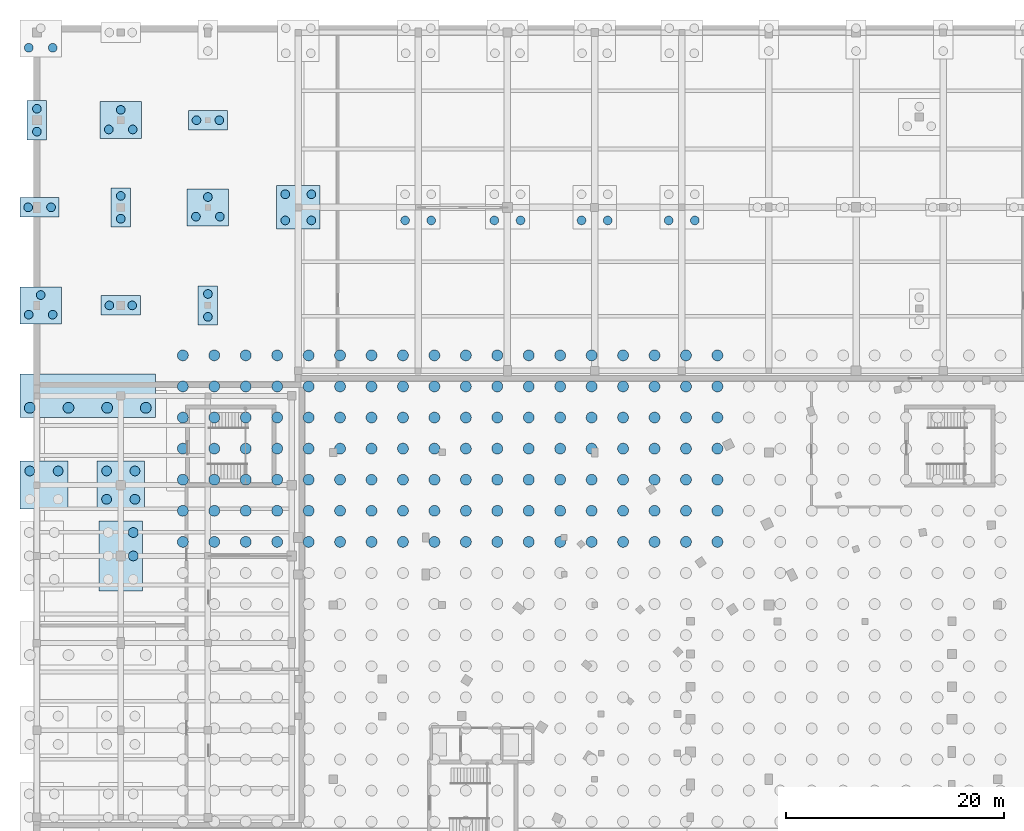
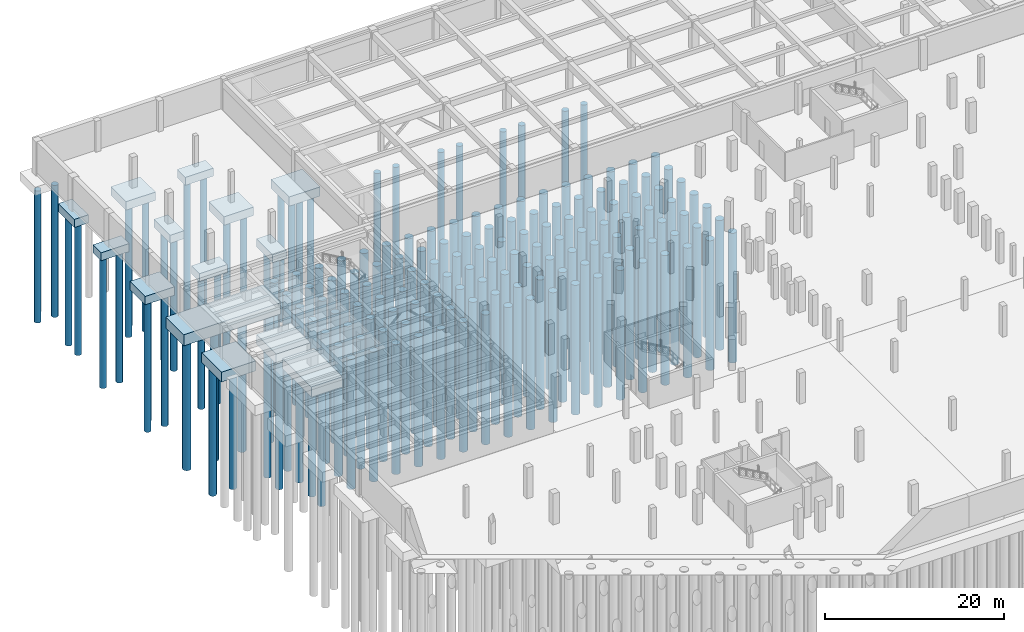
# One storey, part 5 of 36: 173 piles, 14 footings.
"""IFC4 building model written with IfcOpenShell, lengths in metres."""

from ifc_helpers import new_model, si_unit, direction, frame, origin, origin_2d, place, context, subcontext, project, spatial, rectangle, circle, extrude, material, material_profile, profile_set, type_object, element, save


model = new_model("IFC4")

# Units and contexts
model_context = context("Model", 3, precision=1e-05, world=origin(), true_north=direction((0.0, 1.0)))
body_context = subcontext(model_context, "Body", "Model", "MODEL_VIEW")
ifc_project = project(units=[si_unit("LENGTHUNIT", "METRE"), si_unit("AREAUNIT", "SQUARE_METRE"), si_unit("VOLUMEUNIT", "CUBIC_METRE"), si_unit("PLANEANGLEUNIT", "RADIAN"), si_unit("MASSUNIT", "GRAM", prefix="KILO"), si_unit("THERMODYNAMICTEMPERATUREUNIT", "KELVIN"), si_unit("POWERUNIT", "WATT")], contexts=[model_context])

# Site, building, storey
site_placement = place(None, origin())
site = spatial("IfcSite", under=ifc_project, at=site_placement, CompositionType="ELEMENT")
building_placement = place(site_placement, origin())
building = spatial("IfcBuilding", under=site, at=building_placement, Name="Solvatero Civic Police Headquarters", CompositionType="ELEMENT")
storey_placement = place(building_placement, frame((0.0, 0.0, -8.39990234375)))
storey = spatial("IfcBuildingStorey", under=building, at=storey_placement, Name="B02", CompositionType="ELEMENT", Elevation=-8.39990234375)

# Footings
ifc_material_1 = material(Name="Concrete C35/45", Category="concrete")
footing_type_1 = type_object("IfcFootingType", Name="PC-2P-180x360x110", PredefinedType="PILE_CAP", material=ifc_material_1)
for number, where, z_axis, x_axis, name in (
    (1, (4.800048828125, 108.5, -1.5400390625), (0.0, 0.0, 1.0), (1.0, 0.0, 0.0), "Pile Cap FTG-R2-V7NW-X1Y3"),
    (2, (12.5, 100.5, -1.5400390625), (0.0, 0.0, 1.0), (1.0, 0.0, 0.0), "Pile Cap FTG-R2-V7NW-X2Y2"),
    (3, (20.5, 91.5, -1.5400390625), (0.0, 0.0, 1.0), (1.0, 0.0, 0.0), "Pile Cap FTG-R2-V7NW-X3Y1"),
):
    element("IfcFooting", number, at=place(storey_placement, frame(where, z_axis=z_axis, x_axis=x_axis)), inside=storey, type_object=footing_type_1, Name=name, PredefinedType="PILE_CAP", context=body_context, shape_type="SweptSolid", body=[
        extrude(rectangle(XDim=1.800048828125, YDim=3.60009765625, at=origin_2d()), origin(), (0.0, 0.0, 1.0), 1.10009765625),
    ])
footing_type_2 = type_object("IfcFootingType", Name="PC-2P-360x180x110", PredefinedType="PILE_CAP", material=ifc_material_1)
for number, where, z_axis, x_axis, name in (
    (4, (5.050048828125, 100.5, -1.5400390625), (0.0, 0.0, 1.0), (1.0, 0.0, 0.0), "Pile Cap FTG-R2-V7NW-X1Y2"),
    (5, (12.5, 91.5, -1.5400390625), (0.0, 0.0, 1.0), (1.0, 0.0, 0.0), "Pile Cap FTG-R2-V7NW-X2Y1"),
    (6, (20.5, 108.5, -1.5400390625), (0.0, 0.0, 1.0), (1.0, 0.0, 0.0), "Pile Cap FTG-R2-V7NW-X3Y3"),
):
    element("IfcFooting", number, at=place(storey_placement, frame(where, z_axis=z_axis, x_axis=x_axis)), inside=storey, type_object=footing_type_2, Name=name, PredefinedType="PILE_CAP", context=body_context, shape_type="SweptSolid", body=[
        extrude(rectangle(XDim=3.60009765625, YDim=1.800048828125, at=origin_2d()), origin(), (0.0, 0.0, 1.0), 1.10009765625),
    ])
footing_type_3 = type_object("IfcFootingType", Name="PC-3P-380x340x115", PredefinedType="PILE_CAP", material=ifc_material_1)
for number, where, z_axis, x_axis, name in (
    (7, (5.14990234375, 91.5, -1.590087890625), (0.0, 0.0, 1.0), (1.0, 0.0, 0.0), "Pile Cap FTG-R2-V7NW-X1Y1"),
    (8, (12.5, 108.5, -1.590087890625), (0.0, 0.0, 1.0), (1.0, 0.0, 0.0), "Pile Cap FTG-R2-V7NW-X2Y3"),
    (9, (20.5, 100.5, -1.590087890625), (0.0, 0.0, 1.0), (1.0, 0.0, 0.0), "Pile Cap FTG-R2-V7NW-X3Y2"),
):
    element("IfcFooting", number, at=place(storey_placement, frame(where, z_axis=z_axis, x_axis=x_axis)), inside=storey, type_object=footing_type_3, Name=name, PredefinedType="PILE_CAP", context=body_context, shape_type="SweptSolid", body=[
        extrude(rectangle(XDim=3.800048828125, YDim=3.39990234375, at=origin_2d()), origin(), (0.0, 0.0, 1.0), 1.14990234375),
    ])
footing_type_4 = type_object("IfcFootingType", Name="PC-4P-400x400x125", PredefinedType="PILE_CAP", material=ifc_material_1)
footing_1_placement = place(storey_placement, frame((28.800048828125, 100.5, -1.690185546875), z_axis=(0.0, 0.0, 1.0), x_axis=(1.0, 0.0, 0.0)))
element("IfcFooting", 10, at=footing_1_placement, inside=storey, type_object=footing_type_4, Name="Pile Cap FTG-R2-V7-X1Y2", PredefinedType="PILE_CAP", context=body_context, shape_type="SweptSolid", body=[
    extrude(rectangle(XDim=4.0, YDim=4.0, at=origin_2d()), origin(), (0.0, 0.0, 1.0), 1.25),
])
footing_type_5 = type_object("IfcFootingType", Name="PC-4P-440x440x135", PredefinedType="PILE_CAP", material=ifc_material_1)
for number, where, z_axis, x_axis, name in (
    (11, (5.449951171875, 75.0, -1.7900390625), (0.0, 0.0, 1.0), (1.0, 0.0, 0.0), "Pile Cap FTG-R2-V6-X1Y5"),
    (12, (12.5, 75.0, -1.7900390625), (0.0, 0.0, 1.0), (1.0, 0.0, 0.0), "Pile Cap FTG-R2-V6-X2Y5"),
):
    element("IfcFooting", number, at=place(storey_placement, frame(where, z_axis=z_axis, x_axis=x_axis)), inside=storey, type_object=footing_type_5, Name=name, PredefinedType="PILE_CAP", context=body_context, shape_type="SweptSolid", body=[
        extrude(rectangle(XDim=4.39990234375, YDim=4.39990234375, at=origin_2d()), origin(), (0.0, 0.0, 1.0), 1.35009765625),
    ])
footing_type_6 = type_object("IfcFootingType", Name="PC-6P-400x640x140", PredefinedType="PILE_CAP", material=ifc_material_1)
footing_2_placement = place(storey_placement, frame((12.5, 68.5, -1.840087890625), z_axis=(0.0, 0.0, 1.0), x_axis=(1.0, 0.0, 0.0)))
element("IfcFooting", 13, at=footing_2_placement, inside=storey, type_object=footing_type_6, Name="Pile Cap FTG-R2-V6-X2Y4", PredefinedType="PILE_CAP", context=body_context, shape_type="SweptSolid", body=[
    extrude(rectangle(XDim=4.0, YDim=6.39990234375, at=origin_2d()), origin(), (0.0, 0.0, 1.0), 1.39990234375),
])
footing_type_7 = type_object("IfcFootingType", Name="PC-COMB-05", PredefinedType="PILE_CAP", material=ifc_material_1)
footing_3_placement = place(storey_placement, frame((9.47509765625, 83.199951171875, -1.97021484375), z_axis=(0.0, 0.0, 1.0), x_axis=(1.0, 0.0, 0.0)))
element("IfcFooting", 14, at=footing_3_placement, inside=storey, type_object=footing_type_7, Name="Combined Pile Cap FTG-R2-CMB-V6-X1Y6", PredefinedType="PILE_CAP", context=body_context, shape_type="SweptSolid", body=[
    extrude(rectangle(XDim=12.449951171875, YDim=4.0, at=origin_2d()), origin(), (0.0, 0.0, 1.0), 1.530029296875),
])

# Piles
ifc_material_2 = material(Name="Concrete C32/40", Category="concrete")
ifc_material_profile_1 = material_profile(ifc_material_2, circle(Radius=0.5, at=origin_2d()), Name="CFA PILE D1000")
ifc_profile_set_1 = profile_set([ifc_material_profile_1], Name="Concrete C32/40")
pile_type_1 = type_object("IfcPileType", Name="PL-CFA-1000", PredefinedType="BORED", material=ifc_profile_set_1)
for number, where, z_axis, x_axis, name in (
    (15, (18.199951171875, 69.789306640625, -1.7900390625), (0.0, 0.0, -1.0), (1.0, 0.0, 0.0), "Bored Pile ARC-S00-IN-24"),
    (16, (18.199951171875, 72.643310546875, -1.7900390625), (0.0, 0.0, -1.0), (1.0, 0.0, 0.0), "Bored Pile ARC-S00-IN-25"),
    (17, (18.199951171875, 75.4970703125, -1.7900390625), (0.0, 0.0, -1.0), (1.0, 0.0, 0.0), "Bored Pile ARC-S00-IN-26"),
    (18, (18.199951171875, 78.350830078125, -1.7900390625), (0.0, 0.0, -1.0), (1.0, 0.0, 0.0), "Bored Pile ARC-S00-IN-27"),
    (19, (18.199951171875, 81.20458984375, -1.7900390625), (0.0, 0.0, -1.0), (1.0, 0.0, 0.0), "Bored Pile ARC-S00-IN-28"),
    (20, (18.199951171875, 84.058349609375, -1.7900390625), (0.0, 0.0, -1.0), (1.0, 0.0, 0.0), "Bored Pile ARC-S00-IN-29"),
    (21, (18.199951171875, 86.912109375, -1.7900390625), (0.0, 0.0, -1.0), (1.0, 0.0, 0.0), "Bored Pile ARC-S00-IN-30"),
    (22, (21.086669921875, 69.789306640625, -1.7900390625), (0.0, 0.0, -1.0), (1.0, 0.0, 0.0), "Bored Pile ARC-S00-IN-54"),
    (23, (21.086669921875, 72.643310546875, -1.7900390625), (0.0, 0.0, -1.0), (1.0, 0.0, 0.0), "Bored Pile ARC-S00-IN-55"),
    (24, (21.086669921875, 75.4970703125, -1.7900390625), (0.0, 0.0, -1.0), (1.0, 0.0, 0.0), "Bored Pile ARC-S00-IN-56"),
    (25, (21.086669921875, 78.350830078125, -1.7900390625), (0.0, 0.0, -1.0), (1.0, 0.0, 0.0), "Bored Pile ARC-S00-IN-57"),
    (26, (21.086669921875, 81.20458984375, -1.7900390625), (0.0, 0.0, -1.0), (1.0, 0.0, 0.0), "Bored Pile ARC-S00-IN-58"),
    (27, (21.086669921875, 84.058349609375, -1.7900390625), (0.0, 0.0, -1.0), (1.0, 0.0, 0.0), "Bored Pile ARC-S00-IN-59"),
    (28, (21.086669921875, 86.912109375, -1.7900390625), (0.0, 0.0, -1.0), (1.0, 0.0, 0.0), "Bored Pile ARC-S00-IN-60"),
    (29, (23.973388671875, 69.789306640625, -1.7900390625), (0.0, 0.0, -1.0), (1.0, 0.0, 0.0), "Bored Pile ARC-S00-IN-84"),
    (30, (23.973388671875, 72.643310546875, -1.7900390625), (0.0, 0.0, -1.0), (1.0, 0.0, 0.0), "Bored Pile ARC-S00-IN-85"),
    (31, (23.973388671875, 75.4970703125, -1.7900390625), (0.0, 0.0, -1.0), (1.0, 0.0, 0.0), "Bored Pile ARC-S00-IN-86"),
    (32, (23.973388671875, 78.350830078125, -1.7900390625), (0.0, 0.0, -1.0), (1.0, 0.0, 0.0), "Bored Pile ARC-S00-IN-87"),
    (33, (23.973388671875, 81.20458984375, -1.7900390625), (0.0, 0.0, -1.0), (1.0, 0.0, 0.0), "Bored Pile ARC-S00-IN-88"),
    (34, (23.973388671875, 84.058349609375, -1.7900390625), (0.0, 0.0, -1.0), (1.0, 0.0, 0.0), "Bored Pile ARC-S00-IN-89"),
    (35, (23.973388671875, 86.912109375, -1.7900390625), (0.0, 0.0, -1.0), (1.0, 0.0, 0.0), "Bored Pile ARC-S00-IN-90"),
    (36, (26.860107421875, 69.789306640625, -1.7900390625), (0.0, 0.0, -1.0), (1.0, 0.0, 0.0), "Bored Pile ARC-S00-IN-114"),
    (37, (26.860107421875, 72.643310546875, -1.7900390625), (0.0, 0.0, -1.0), (1.0, 0.0, 0.0), "Bored Pile ARC-S00-IN-115"),
    (38, (26.860107421875, 75.4970703125, -1.7900390625), (0.0, 0.0, -1.0), (1.0, 0.0, 0.0), "Bored Pile ARC-S00-IN-116"),
    (39, (26.860107421875, 78.350830078125, -1.7900390625), (0.0, 0.0, -1.0), (1.0, 0.0, 0.0), "Bored Pile ARC-S00-IN-117"),
    (40, (26.860107421875, 81.20458984375, -1.7900390625), (0.0, 0.0, -1.0), (1.0, 0.0, 0.0), "Bored Pile ARC-S00-IN-118"),
    (41, (26.860107421875, 84.058349609375, -1.7900390625), (0.0, 0.0, -1.0), (1.0, 0.0, 0.0), "Bored Pile ARC-S00-IN-119"),
    (42, (26.860107421875, 86.912109375, -1.7900390625), (0.0, 0.0, -1.0), (1.0, 0.0, 0.0), "Bored Pile ARC-S00-IN-120"),
    (43, (29.74658203125, 69.789306640625, -1.7900390625), (0.0, 0.0, -1.0), (1.0, 0.0, 0.0), "Bored Pile ARC-S00-IN-144"),
    (44, (29.74658203125, 72.643310546875, -1.7900390625), (0.0, 0.0, -1.0), (1.0, 0.0, 0.0), "Bored Pile ARC-S00-IN-145"),
    (45, (29.74658203125, 75.4970703125, -1.7900390625), (0.0, 0.0, -1.0), (1.0, 0.0, 0.0), "Bored Pile ARC-S00-IN-146"),
    (46, (29.74658203125, 78.350830078125, -1.7900390625), (0.0, 0.0, -1.0), (1.0, 0.0, 0.0), "Bored Pile ARC-S00-IN-147"),
    (47, (29.74658203125, 81.20458984375, -1.7900390625), (0.0, 0.0, -1.0), (1.0, 0.0, 0.0), "Bored Pile ARC-S00-IN-148"),
    (48, (29.74658203125, 84.058349609375, -1.7900390625), (0.0, 0.0, -1.0), (1.0, 0.0, 0.0), "Bored Pile ARC-S00-IN-149"),
    (49, (29.74658203125, 86.912109375, -1.7900390625), (0.0, 0.0, -1.0), (1.0, 0.0, 0.0), "Bored Pile ARC-S00-IN-150"),
    (50, (32.63330078125, 69.789306640625, -1.7900390625), (0.0, 0.0, -1.0), (1.0, 0.0, 0.0), "Bored Pile ARC-S00-IN-174"),
    (51, (32.63330078125, 72.643310546875, -1.7900390625), (0.0, 0.0, -1.0), (1.0, 0.0, 0.0), "Bored Pile ARC-S00-IN-175"),
    (52, (32.63330078125, 75.4970703125, -1.7900390625), (0.0, 0.0, -1.0), (1.0, 0.0, 0.0), "Bored Pile ARC-S00-IN-176"),
    (53, (32.63330078125, 78.350830078125, -1.7900390625), (0.0, 0.0, -1.0), (1.0, 0.0, 0.0), "Bored Pile ARC-S00-IN-177"),
    (54, (32.63330078125, 81.20458984375, -1.7900390625), (0.0, 0.0, -1.0), (1.0, 0.0, 0.0), "Bored Pile ARC-S00-IN-178"),
    (55, (32.63330078125, 84.058349609375, -1.7900390625), (0.0, 0.0, -1.0), (1.0, 0.0, 0.0), "Bored Pile ARC-S00-IN-179"),
    (56, (32.63330078125, 86.912109375, -1.7900390625), (0.0, 0.0, -1.0), (1.0, 0.0, 0.0), "Bored Pile ARC-S00-IN-180"),
    (57, (35.52001953125, 69.789306640625, -1.7900390625), (0.0, 0.0, -1.0), (1.0, 0.0, 0.0), "Bored Pile ARC-S00-IN-204"),
    (58, (35.52001953125, 72.643310546875, -1.7900390625), (0.0, 0.0, -1.0), (1.0, 0.0, 0.0), "Bored Pile ARC-S00-IN-205"),
    (59, (35.52001953125, 75.4970703125, -1.7900390625), (0.0, 0.0, -1.0), (1.0, 0.0, 0.0), "Bored Pile ARC-S00-IN-206"),
    (60, (35.52001953125, 78.350830078125, -1.7900390625), (0.0, 0.0, -1.0), (1.0, 0.0, 0.0), "Bored Pile ARC-S00-IN-207"),
    (61, (35.52001953125, 81.20458984375, -1.7900390625), (0.0, 0.0, -1.0), (1.0, 0.0, 0.0), "Bored Pile ARC-S00-IN-208"),
    (62, (35.52001953125, 84.058349609375, -1.7900390625), (0.0, 0.0, -1.0), (1.0, 0.0, 0.0), "Bored Pile ARC-S00-IN-209"),
    (63, (35.52001953125, 86.912109375, -1.7900390625), (0.0, 0.0, -1.0), (1.0, 0.0, 0.0), "Bored Pile ARC-S00-IN-210"),
    (64, (38.40673828125, 69.789306640625, -1.7900390625), (0.0, 0.0, -1.0), (1.0, 0.0, 0.0), "Bored Pile ARC-S00-IN-234"),
    (65, (38.40673828125, 72.643310546875, -1.7900390625), (0.0, 0.0, -1.0), (1.0, 0.0, 0.0), "Bored Pile ARC-S00-IN-235"),
    (66, (38.40673828125, 75.4970703125, -1.7900390625), (0.0, 0.0, -1.0), (1.0, 0.0, 0.0), "Bored Pile ARC-S00-IN-236"),
    (67, (38.40673828125, 78.350830078125, -1.7900390625), (0.0, 0.0, -1.0), (1.0, 0.0, 0.0), "Bored Pile ARC-S00-IN-237"),
    (68, (38.40673828125, 81.20458984375, -1.7900390625), (0.0, 0.0, -1.0), (1.0, 0.0, 0.0), "Bored Pile ARC-S00-IN-238"),
    (69, (38.40673828125, 84.058349609375, -1.7900390625), (0.0, 0.0, -1.0), (1.0, 0.0, 0.0), "Bored Pile ARC-S00-IN-239"),
    (70, (38.40673828125, 86.912109375, -1.7900390625), (0.0, 0.0, -1.0), (1.0, 0.0, 0.0), "Bored Pile ARC-S00-IN-240"),
    (71, (41.293212890625, 69.789306640625, -1.7900390625), (0.0, 0.0, -1.0), (1.0, 0.0, 0.0), "Bored Pile ARC-S00-IN-264"),
    (72, (41.293212890625, 72.643310546875, -1.7900390625), (0.0, 0.0, -1.0), (1.0, 0.0, 0.0), "Bored Pile ARC-S00-IN-265"),
    (73, (41.293212890625, 75.4970703125, -1.7900390625), (0.0, 0.0, -1.0), (1.0, 0.0, 0.0), "Bored Pile ARC-S00-IN-266"),
    (74, (41.293212890625, 78.350830078125, -1.7900390625), (0.0, 0.0, -1.0), (1.0, 0.0, 0.0), "Bored Pile ARC-S00-IN-267"),
    (75, (41.293212890625, 81.20458984375, -1.7900390625), (0.0, 0.0, -1.0), (1.0, 0.0, 0.0), "Bored Pile ARC-S00-IN-268"),
    (76, (41.293212890625, 84.058349609375, -1.7900390625), (0.0, 0.0, -1.0), (1.0, 0.0, 0.0), "Bored Pile ARC-S00-IN-269"),
    (77, (41.293212890625, 86.912109375, -1.7900390625), (0.0, 0.0, -1.0), (1.0, 0.0, 0.0), "Bored Pile ARC-S00-IN-270"),
    (78, (44.179931640625, 69.789306640625, -1.7900390625), (0.0, 0.0, -1.0), (1.0, 0.0, 0.0), "Bored Pile ARC-S00-IN-294"),
    (79, (44.179931640625, 72.643310546875, -1.7900390625), (0.0, 0.0, -1.0), (1.0, 0.0, 0.0), "Bored Pile ARC-S00-IN-295"),
    (80, (44.179931640625, 75.4970703125, -1.7900390625), (0.0, 0.0, -1.0), (1.0, 0.0, 0.0), "Bored Pile ARC-S00-IN-296"),
    (81, (44.179931640625, 78.350830078125, -1.7900390625), (0.0, 0.0, -1.0), (1.0, 0.0, 0.0), "Bored Pile ARC-S00-IN-297"),
    (82, (44.179931640625, 81.20458984375, -1.7900390625), (0.0, 0.0, -1.0), (1.0, 0.0, 0.0), "Bored Pile ARC-S00-IN-298"),
    (83, (44.179931640625, 84.058349609375, -1.7900390625), (0.0, 0.0, -1.0), (1.0, 0.0, 0.0), "Bored Pile ARC-S00-IN-299"),
    (84, (44.179931640625, 86.912109375, -1.7900390625), (0.0, 0.0, -1.0), (1.0, 0.0, 0.0), "Bored Pile ARC-S00-IN-300"),
    (85, (47.066650390625, 69.789306640625, -1.7900390625), (0.0, 0.0, -1.0), (1.0, 0.0, 0.0), "Bored Pile ARC-S00-IN-324"),
    (86, (47.066650390625, 72.643310546875, -1.7900390625), (0.0, 0.0, -1.0), (1.0, 0.0, 0.0), "Bored Pile ARC-S00-IN-325"),
    (87, (47.066650390625, 75.4970703125, -1.7900390625), (0.0, 0.0, -1.0), (1.0, 0.0, 0.0), "Bored Pile ARC-S00-IN-326"),
    (88, (47.066650390625, 78.350830078125, -1.7900390625), (0.0, 0.0, -1.0), (1.0, 0.0, 0.0), "Bored Pile ARC-S00-IN-327"),
    (89, (47.066650390625, 81.20458984375, -1.7900390625), (0.0, 0.0, -1.0), (1.0, 0.0, 0.0), "Bored Pile ARC-S00-IN-328"),
    (90, (47.066650390625, 84.058349609375, -1.7900390625), (0.0, 0.0, -1.0), (1.0, 0.0, 0.0), "Bored Pile ARC-S00-IN-329"),
    (91, (47.066650390625, 86.912109375, -1.7900390625), (0.0, 0.0, -1.0), (1.0, 0.0, 0.0), "Bored Pile ARC-S00-IN-330"),
    (92, (49.953369140625, 69.789306640625, -1.7900390625), (0.0, 0.0, -1.0), (1.0, 0.0, 0.0), "Bored Pile ARC-S00-IN-354"),
    (93, (49.953369140625, 72.643310546875, -1.7900390625), (0.0, 0.0, -1.0), (1.0, 0.0, 0.0), "Bored Pile ARC-S00-IN-355"),
    (94, (49.953369140625, 75.4970703125, -1.7900390625), (0.0, 0.0, -1.0), (1.0, 0.0, 0.0), "Bored Pile ARC-S00-IN-356"),
    (95, (49.953369140625, 78.350830078125, -1.7900390625), (0.0, 0.0, -1.0), (1.0, 0.0, 0.0), "Bored Pile ARC-S00-IN-357"),
    (96, (49.953369140625, 81.20458984375, -1.7900390625), (0.0, 0.0, -1.0), (1.0, 0.0, 0.0), "Bored Pile ARC-S00-IN-358"),
    (97, (49.953369140625, 84.058349609375, -1.7900390625), (0.0, 0.0, -1.0), (1.0, 0.0, 0.0), "Bored Pile ARC-S00-IN-359"),
    (98, (49.953369140625, 86.912109375, -1.7900390625), (0.0, 0.0, -1.0), (1.0, 0.0, 0.0), "Bored Pile ARC-S00-IN-360"),
    (99, (52.840087890625, 69.789306640625, -1.7900390625), (0.0, 0.0, -1.0), (1.0, 0.0, 0.0), "Bored Pile ARC-S00-IN-384"),
    (100, (52.840087890625, 72.643310546875, -1.7900390625), (0.0, 0.0, -1.0), (1.0, 0.0, 0.0), "Bored Pile ARC-S00-IN-385"),
    (101, (52.840087890625, 75.4970703125, -1.7900390625), (0.0, 0.0, -1.0), (1.0, 0.0, 0.0), "Bored Pile ARC-S00-IN-386"),
    (102, (52.840087890625, 78.350830078125, -1.7900390625), (0.0, 0.0, -1.0), (1.0, 0.0, 0.0), "Bored Pile ARC-S00-IN-387"),
    (103, (52.840087890625, 81.20458984375, -1.7900390625), (0.0, 0.0, -1.0), (1.0, 0.0, 0.0), "Bored Pile ARC-S00-IN-388"),
    (104, (52.840087890625, 84.058349609375, -1.7900390625), (0.0, 0.0, -1.0), (1.0, 0.0, 0.0), "Bored Pile ARC-S00-IN-389"),
    (105, (52.840087890625, 86.912109375, -1.7900390625), (0.0, 0.0, -1.0), (1.0, 0.0, 0.0), "Bored Pile ARC-S00-IN-390"),
    (106, (55.726806640625, 69.789306640625, -1.7900390625), (0.0, 0.0, -1.0), (1.0, 0.0, 0.0), "Bored Pile ARC-S00-IN-414"),
    (107, (55.726806640625, 72.643310546875, -1.7900390625), (0.0, 0.0, -1.0), (1.0, 0.0, 0.0), "Bored Pile ARC-S00-IN-415"),
    (108, (55.726806640625, 75.4970703125, -1.7900390625), (0.0, 0.0, -1.0), (1.0, 0.0, 0.0), "Bored Pile ARC-S00-IN-416"),
    (109, (55.726806640625, 78.350830078125, -1.7900390625), (0.0, 0.0, -1.0), (1.0, 0.0, 0.0), "Bored Pile ARC-S00-IN-417"),
    (110, (55.726806640625, 81.20458984375, -1.7900390625), (0.0, 0.0, -1.0), (1.0, 0.0, 0.0), "Bored Pile ARC-S00-IN-418"),
    (111, (55.726806640625, 84.058349609375, -1.7900390625), (0.0, 0.0, -1.0), (1.0, 0.0, 0.0), "Bored Pile ARC-S00-IN-419"),
    (112, (55.726806640625, 86.912109375, -1.7900390625), (0.0, 0.0, -1.0), (1.0, 0.0, 0.0), "Bored Pile ARC-S00-IN-420"),
    (113, (58.61328125, 69.789306640625, -1.7900390625), (0.0, 0.0, -1.0), (1.0, 0.0, 0.0), "Bored Pile ARC-S00-IN-444"),
    (114, (58.61328125, 72.643310546875, -1.7900390625), (0.0, 0.0, -1.0), (1.0, 0.0, 0.0), "Bored Pile ARC-S00-IN-445"),
    (115, (58.61328125, 75.4970703125, -1.7900390625), (0.0, 0.0, -1.0), (1.0, 0.0, 0.0), "Bored Pile ARC-S00-IN-446"),
    (116, (58.61328125, 78.350830078125, -1.7900390625), (0.0, 0.0, -1.0), (1.0, 0.0, 0.0), "Bored Pile ARC-S00-IN-447"),
    (117, (58.61328125, 81.20458984375, -1.7900390625), (0.0, 0.0, -1.0), (1.0, 0.0, 0.0), "Bored Pile ARC-S00-IN-448"),
    (118, (58.61328125, 84.058349609375, -1.7900390625), (0.0, 0.0, -1.0), (1.0, 0.0, 0.0), "Bored Pile ARC-S00-IN-449"),
    (119, (58.61328125, 86.912109375, -1.7900390625), (0.0, 0.0, -1.0), (1.0, 0.0, 0.0), "Bored Pile ARC-S00-IN-450"),
    (120, (61.5, 69.789306640625, -1.7900390625), (0.0, 0.0, -1.0), (1.0, 0.0, 0.0), "Bored Pile ARC-S00-IN-474"),
    (121, (61.5, 72.643310546875, -1.7900390625), (0.0, 0.0, -1.0), (1.0, 0.0, 0.0), "Bored Pile ARC-S00-IN-475"),
    (122, (61.5, 75.4970703125, -1.7900390625), (0.0, 0.0, -1.0), (1.0, 0.0, 0.0), "Bored Pile ARC-S00-IN-476"),
    (123, (61.5, 78.350830078125, -1.7900390625), (0.0, 0.0, -1.0), (1.0, 0.0, 0.0), "Bored Pile ARC-S00-IN-477"),
    (124, (61.5, 81.20458984375, -1.7900390625), (0.0, 0.0, -1.0), (1.0, 0.0, 0.0), "Bored Pile ARC-S00-IN-478"),
    (125, (61.5, 84.058349609375, -1.7900390625), (0.0, 0.0, -1.0), (1.0, 0.0, 0.0), "Bored Pile ARC-S00-IN-479"),
    (126, (61.5, 86.912109375, -1.7900390625), (0.0, 0.0, -1.0), (1.0, 0.0, 0.0), "Bored Pile ARC-S00-IN-480"),
    (127, (64.38671875, 69.789306640625, -1.7900390625), (0.0, 0.0, -1.0), (1.0, 0.0, 0.0), "Bored Pile ARC-S00-IN-504"),
    (128, (64.38671875, 72.643310546875, -1.7900390625), (0.0, 0.0, -1.0), (1.0, 0.0, 0.0), "Bored Pile ARC-S00-IN-505"),
    (129, (64.38671875, 75.4970703125, -1.7900390625), (0.0, 0.0, -1.0), (1.0, 0.0, 0.0), "Bored Pile ARC-S00-IN-506"),
    (130, (64.38671875, 78.350830078125, -1.7900390625), (0.0, 0.0, -1.0), (1.0, 0.0, 0.0), "Bored Pile ARC-S00-IN-507"),
    (131, (64.38671875, 81.20458984375, -1.7900390625), (0.0, 0.0, -1.0), (1.0, 0.0, 0.0), "Bored Pile ARC-S00-IN-508"),
    (132, (64.38671875, 84.058349609375, -1.7900390625), (0.0, 0.0, -1.0), (1.0, 0.0, 0.0), "Bored Pile ARC-S00-IN-509"),
    (133, (64.38671875, 86.912109375, -1.7900390625), (0.0, 0.0, -1.0), (1.0, 0.0, 0.0), "Bored Pile ARC-S00-IN-510"),
    (134, (67.273193359375, 69.789306640625, -1.7900390625), (0.0, 0.0, -1.0), (1.0, 0.0, 0.0), "Bored Pile ARC-S00-IN-534"),
    (135, (67.273193359375, 72.643310546875, -1.7900390625), (0.0, 0.0, -1.0), (1.0, 0.0, 0.0), "Bored Pile ARC-S00-IN-535"),
    (136, (67.273193359375, 75.4970703125, -1.7900390625), (0.0, 0.0, -1.0), (1.0, 0.0, 0.0), "Bored Pile ARC-S00-IN-536"),
    (137, (67.273193359375, 78.350830078125, -1.7900390625), (0.0, 0.0, -1.0), (1.0, 0.0, 0.0), "Bored Pile ARC-S00-IN-537"),
    (138, (67.273193359375, 81.20458984375, -1.7900390625), (0.0, 0.0, -1.0), (1.0, 0.0, 0.0), "Bored Pile ARC-S00-IN-538"),
    (139, (67.273193359375, 84.058349609375, -1.7900390625), (0.0, 0.0, -1.0), (1.0, 0.0, 0.0), "Bored Pile ARC-S00-IN-539"),
    (140, (67.273193359375, 86.912109375, -1.7900390625), (0.0, 0.0, -1.0), (1.0, 0.0, 0.0), "Bored Pile ARC-S00-IN-540"),
):
    element("IfcPile", number, at=place(storey_placement, frame(where, z_axis=z_axis, x_axis=x_axis)), inside=storey, type_object=pile_type_1, Name=name, PredefinedType="BORED", context=body_context, shape_type="SweptSolid", body=[
        extrude(circle(Radius=0.5, at=origin_2d()), origin(), (0.0, 0.0, 1.0), 17.659912109375),
    ])
for number, where, z_axis, x_axis, name in (
    (141, (4.14990234375, 82.10009765625, -1.8701171875), (0.0, 0.0, -1.0), (1.0, 0.0, 0.0), "Bored Pile V6-X1Y6-1"),
    (142, (7.699951171875, 82.10009765625, -1.8701171875), (0.0, 0.0, -1.0), (1.0, 0.0, 0.0), "Bored Pile V6-X1Y6-2"),
    (143, (11.25, 82.10009765625, -1.8701171875), (0.0, 0.0, -1.0), (1.0, 0.0, 0.0), "Bored Pile V6-X1Y6-3"),
    (144, (14.800048828125, 82.10009765625, -1.8701171875), (0.0, 0.0, -1.0), (1.0, 0.0, 0.0), "Bored Pile V6-X1Y6-4"),
):
    element("IfcPile", number, at=place(storey_placement, frame(where, z_axis=z_axis, x_axis=x_axis)), inside=storey, type_object=pile_type_1, Name=name, PredefinedType="BORED", context=body_context, shape_type="SweptSolid", body=[
        extrude(circle(Radius=0.5, at=origin_2d()), origin(), (0.0, 0.0, 1.0), 17.580078125),
    ])
ifc_material_profile_2 = material_profile(ifc_material_2, circle(Radius=0.39990234375, at=origin_2d()), Name="CFA PILE D800")
ifc_profile_set_2 = profile_set([ifc_material_profile_2], Name="Concrete C32/40")
pile_type_2 = type_object("IfcPileType", Name="PL-CFA-800", PredefinedType="BORED", material=ifc_profile_set_2)
for number, where, z_axis, x_axis, name in (
    (145, (27.60009765625, 99.300048828125, -1.590087890625), (0.0, 0.0, -1.0), (1.0, 0.0, 0.0), "Bored Pile V7-X1Y2-1"),
    (146, (30.0, 99.300048828125, -1.590087890625), (0.0, 0.0, -1.0), (1.0, 0.0, 0.0), "Bored Pile V7-X1Y2-2"),
    (147, (27.60009765625, 101.699951171875, -1.590087890625), (0.0, 0.0, -1.0), (1.0, 0.0, 0.0), "Bored Pile V7-X1Y2-3"),
    (148, (30.0, 101.699951171875, -1.590087890625), (0.0, 0.0, -1.0), (1.0, 0.0, 0.0), "Bored Pile V7-X1Y2-4"),
    (149, (38.60009765625, 99.300048828125, -1.590087890625), (0.0, 0.0, -1.0), (1.0, 0.0, 0.0), "Bored Pile V7-X2Y2-1"),
    (150, (41.0, 99.300048828125, -1.590087890625), (0.0, 0.0, -1.0), (1.0, 0.0, 0.0), "Bored Pile V7-X2Y2-2"),
    (151, (46.800048828125, 99.300048828125, -1.590087890625), (0.0, 0.0, -1.0), (1.0, 0.0, 0.0), "Bored Pile V7-X3Y2-1"),
    (152, (49.199951171875, 99.300048828125, -1.590087890625), (0.0, 0.0, -1.0), (1.0, 0.0, 0.0), "Bored Pile V7-X3Y2-2"),
    (153, (54.800048828125, 99.300048828125, -1.590087890625), (0.0, 0.0, -1.0), (1.0, 0.0, 0.0), "Bored Pile V7-X4Y2-1"),
    (154, (57.199951171875, 99.300048828125, -1.590087890625), (0.0, 0.0, -1.0), (1.0, 0.0, 0.0), "Bored Pile V7-X4Y2-2"),
    (155, (62.800048828125, 99.300048828125, -1.590087890625), (0.0, 0.0, -1.0), (1.0, 0.0, 0.0), "Bored Pile V7-X5Y2-1"),
    (156, (65.199951171875, 99.300048828125, -1.590087890625), (0.0, 0.0, -1.0), (1.0, 0.0, 0.0), "Bored Pile V7-X5Y2-2"),
):
    element("IfcPile", number, at=place(storey_placement, frame(where, z_axis=z_axis, x_axis=x_axis)), inside=storey, type_object=pile_type_2, Name=name, PredefinedType="BORED", context=body_context, shape_type="SweptSolid", body=[
        extrude(circle(Radius=0.39990234375, at=origin_2d()), origin(), (0.0, 0.0, 1.0), 17.860107421875),
    ])
for number, where, z_axis, x_axis, name in (
    (157, (4.050048828125, 90.64990234375, -1.489990234375), (0.0, 0.0, -1.0), (1.0, 0.0, 0.0), "Bored Pile V7NW-X1Y1-1"),
    (158, (6.25, 90.64990234375, -1.489990234375), (0.0, 0.0, -1.0), (1.0, 0.0, 0.0), "Bored Pile V7NW-X1Y1-2"),
    (159, (5.14990234375, 92.449951171875, -1.489990234375), (0.0, 0.0, -1.0), (1.0, 0.0, 0.0), "Bored Pile V7NW-X1Y1-3"),
):
    element("IfcPile", number, at=place(storey_placement, frame(where, z_axis=z_axis, x_axis=x_axis)), inside=storey, type_object=pile_type_2, Name=name, PredefinedType="BORED", context=body_context, shape_type="SweptSolid", body=[
        extrude(circle(Radius=0.39990234375, at=origin_2d()), origin(), (0.0, 0.0, 1.0), 17.9599609375),
    ])
for number, where, z_axis, x_axis, name in (
    (160, (4.0, 100.5, -1.440185546875), (0.0, 0.0, -1.0), (1.0, 0.0, 0.0), "Bored Pile V7NW-X1Y2-1"),
    (161, (6.10009765625, 100.5, -1.440185546875), (0.0, 0.0, -1.0), (1.0, 0.0, 0.0), "Bored Pile V7NW-X1Y2-2"),
    (162, (4.800048828125, 107.449951171875, -1.440185546875), (0.0, 0.0, -1.0), (1.0, 0.0, 0.0), "Bored Pile V7NW-X1Y3-1"),
    (163, (4.800048828125, 109.550048828125, -1.440185546875), (0.0, 0.0, -1.0), (1.0, 0.0, 0.0), "Bored Pile V7NW-X1Y3-2"),
):
    element("IfcPile", number, at=place(storey_placement, frame(where, z_axis=z_axis, x_axis=x_axis)), inside=storey, type_object=pile_type_2, Name=name, PredefinedType="BORED", context=body_context, shape_type="SweptSolid", body=[
        extrude(circle(Radius=0.39990234375, at=origin_2d()), origin(), (0.0, 0.0, 1.0), 18.010009765625),
    ])
for number, where, z_axis, x_axis, name in (
    (164, (4.050048828125, 115.14990234375, -1.489990234375), (0.0, 0.0, -1.0), (1.0, 0.0, 0.0), "Bored Pile V7NW-X1Y4-1"),
    (165, (6.25, 115.14990234375, -1.489990234375), (0.0, 0.0, -1.0), (1.0, 0.0, 0.0), "Bored Pile V7NW-X1Y4-2"),
):
    element("IfcPile", number, at=place(storey_placement, frame(where, z_axis=z_axis, x_axis=x_axis)), inside=storey, type_object=pile_type_2, Name=name, PredefinedType="BORED", context=body_context, shape_type="SweptSolid", body=[
        extrude(circle(Radius=0.39990234375, at=origin_2d()), origin(), (0.0, 0.0, 1.0), 17.9599609375),
    ])
for number, where, z_axis, x_axis, name in (
    (166, (11.449951171875, 91.5, -1.440185546875), (0.0, 0.0, -1.0), (1.0, 0.0, 0.0), "Bored Pile V7NW-X2Y1-1"),
    (167, (13.550048828125, 91.5, -1.440185546875), (0.0, 0.0, -1.0), (1.0, 0.0, 0.0), "Bored Pile V7NW-X2Y1-2"),
    (168, (12.5, 99.449951171875, -1.440185546875), (0.0, 0.0, -1.0), (1.0, 0.0, 0.0), "Bored Pile V7NW-X2Y2-1"),
    (169, (12.5, 101.550048828125, -1.440185546875), (0.0, 0.0, -1.0), (1.0, 0.0, 0.0), "Bored Pile V7NW-X2Y2-2"),
):
    element("IfcPile", number, at=place(storey_placement, frame(where, z_axis=z_axis, x_axis=x_axis)), inside=storey, type_object=pile_type_2, Name=name, PredefinedType="BORED", context=body_context, shape_type="SweptSolid", body=[
        extrude(circle(Radius=0.39990234375, at=origin_2d()), origin(), (0.0, 0.0, 1.0), 18.010009765625),
    ])
for number, where, z_axis, x_axis, name in (
    (170, (11.39990234375, 107.64990234375, -1.489990234375), (0.0, 0.0, -1.0), (1.0, 0.0, 0.0), "Bored Pile V7NW-X2Y3-1"),
    (171, (13.60009765625, 107.64990234375, -1.489990234375), (0.0, 0.0, -1.0), (1.0, 0.0, 0.0), "Bored Pile V7NW-X2Y3-2"),
    (172, (12.5, 109.449951171875, -1.489990234375), (0.0, 0.0, -1.0), (1.0, 0.0, 0.0), "Bored Pile V7NW-X2Y3-3"),
):
    element("IfcPile", number, at=place(storey_placement, frame(where, z_axis=z_axis, x_axis=x_axis)), inside=storey, type_object=pile_type_2, Name=name, PredefinedType="BORED", context=body_context, shape_type="SweptSolid", body=[
        extrude(circle(Radius=0.39990234375, at=origin_2d()), origin(), (0.0, 0.0, 1.0), 17.9599609375),
    ])
for number, where, z_axis, x_axis, name in (
    (173, (20.5, 90.449951171875, -1.440185546875), (0.0, 0.0, -1.0), (1.0, 0.0, 0.0), "Bored Pile V7NW-X3Y1-1"),
    (174, (20.5, 92.550048828125, -1.440185546875), (0.0, 0.0, -1.0), (1.0, 0.0, 0.0), "Bored Pile V7NW-X3Y1-2"),
):
    element("IfcPile", number, at=place(storey_placement, frame(where, z_axis=z_axis, x_axis=x_axis)), inside=storey, type_object=pile_type_2, Name=name, PredefinedType="BORED", context=body_context, shape_type="SweptSolid", body=[
        extrude(circle(Radius=0.39990234375, at=origin_2d()), origin(), (0.0, 0.0, 1.0), 18.010009765625),
    ])
for number, where, z_axis, x_axis, name in (
    (175, (19.39990234375, 99.64990234375, -1.489990234375), (0.0, 0.0, -1.0), (1.0, 0.0, 0.0), "Bored Pile V7NW-X3Y2-1"),
    (176, (21.60009765625, 99.64990234375, -1.489990234375), (0.0, 0.0, -1.0), (1.0, 0.0, 0.0), "Bored Pile V7NW-X3Y2-2"),
    (177, (20.5, 101.449951171875, -1.489990234375), (0.0, 0.0, -1.0), (1.0, 0.0, 0.0), "Bored Pile V7NW-X3Y2-3"),
):
    element("IfcPile", number, at=place(storey_placement, frame(where, z_axis=z_axis, x_axis=x_axis)), inside=storey, type_object=pile_type_2, Name=name, PredefinedType="BORED", context=body_context, shape_type="SweptSolid", body=[
        extrude(circle(Radius=0.39990234375, at=origin_2d()), origin(), (0.0, 0.0, 1.0), 17.9599609375),
    ])
for number, where, z_axis, x_axis, name in (
    (178, (19.449951171875, 108.5, -1.440185546875), (0.0, 0.0, -1.0), (1.0, 0.0, 0.0), "Bored Pile V7NW-X3Y3-1"),
    (179, (21.550048828125, 108.5, -1.440185546875), (0.0, 0.0, -1.0), (1.0, 0.0, 0.0), "Bored Pile V7NW-X3Y3-2"),
):
    element("IfcPile", number, at=place(storey_placement, frame(where, z_axis=z_axis, x_axis=x_axis)), inside=storey, type_object=pile_type_2, Name=name, PredefinedType="BORED", context=body_context, shape_type="SweptSolid", body=[
        extrude(circle(Radius=0.39990234375, at=origin_2d()), origin(), (0.0, 0.0, 1.0), 18.010009765625),
    ])
ifc_material_profile_3 = material_profile(ifc_material_2, circle(Radius=0.449951171875, at=origin_2d()), Name="CFA PILE D900")
ifc_profile_set_3 = profile_set([ifc_material_profile_3], Name="Concrete C32/40")
pile_type_3 = type_object("IfcPileType", Name="PL-CFA-900", PredefinedType="BORED", material=ifc_profile_set_3)
for number, where, z_axis, x_axis, name in (
    (180, (4.14990234375, 76.300048828125, -1.690185546875), (0.0, 0.0, -1.0), (1.0, 0.0, 0.0), "Bored Pile V6-X1Y5-3"),
    (181, (6.75, 76.300048828125, -1.690185546875), (0.0, 0.0, -1.0), (1.0, 0.0, 0.0), "Bored Pile V6-X1Y5-4"),
):
    element("IfcPile", number, at=place(storey_placement, frame(where, z_axis=z_axis, x_axis=x_axis)), inside=storey, type_object=pile_type_3, Name=name, PredefinedType="BORED", context=body_context, shape_type="SweptSolid", body=[
        extrude(circle(Radius=0.449951171875, at=origin_2d()), origin(), (0.0, 0.0, 1.0), 17.760009765625),
    ])
for number, where, z_axis, x_axis, name in (
    (182, (13.64990234375, 68.5, -1.739990234375), (0.0, 0.0, -1.0), (1.0, 0.0, 0.0), "Bored Pile V6-X2Y4-5"),
    (183, (13.64990234375, 70.64990234375, -1.739990234375), (0.0, 0.0, -1.0), (1.0, 0.0, 0.0), "Bored Pile V6-X2Y4-6"),
):
    element("IfcPile", number, at=place(storey_placement, frame(where, z_axis=z_axis, x_axis=x_axis)), inside=storey, type_object=pile_type_3, Name=name, PredefinedType="BORED", context=body_context, shape_type="SweptSolid", body=[
        extrude(circle(Radius=0.449951171875, at=origin_2d()), origin(), (0.0, 0.0, 1.0), 17.7099609375),
    ])
for number, where, z_axis, x_axis, name in (
    (184, (11.199951171875, 73.699951171875, -1.690185546875), (0.0, 0.0, -1.0), (1.0, 0.0, 0.0), "Bored Pile V6-X2Y5-1"),
    (185, (13.800048828125, 73.699951171875, -1.690185546875), (0.0, 0.0, -1.0), (1.0, 0.0, 0.0), "Bored Pile V6-X2Y5-2"),
    (186, (11.199951171875, 76.300048828125, -1.690185546875), (0.0, 0.0, -1.0), (1.0, 0.0, 0.0), "Bored Pile V6-X2Y5-3"),
    (187, (13.800048828125, 76.300048828125, -1.690185546875), (0.0, 0.0, -1.0), (1.0, 0.0, 0.0), "Bored Pile V6-X2Y5-4"),
):
    element("IfcPile", number, at=place(storey_placement, frame(where, z_axis=z_axis, x_axis=x_axis)), inside=storey, type_object=pile_type_3, Name=name, PredefinedType="BORED", context=body_context, shape_type="SweptSolid", body=[
        extrude(circle(Radius=0.449951171875, at=origin_2d()), origin(), (0.0, 0.0, 1.0), 17.760009765625),
    ])

save(model, "model.ifc")
